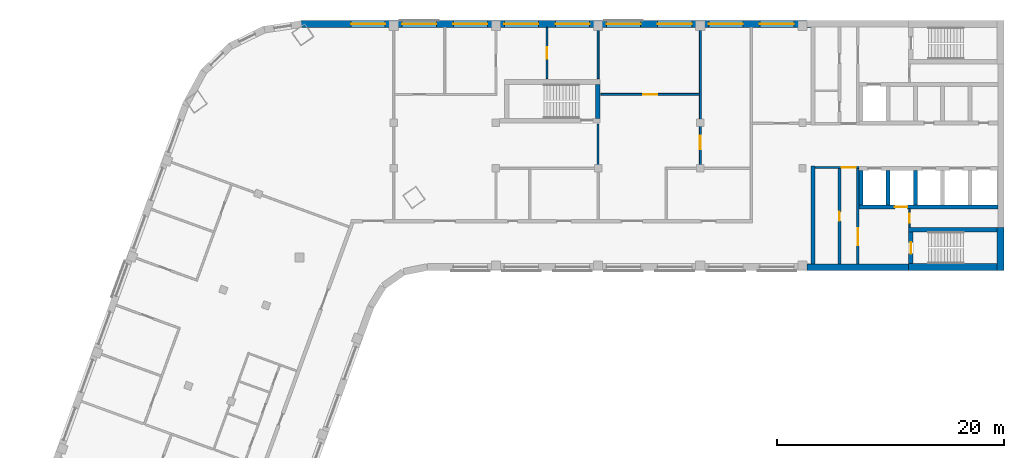
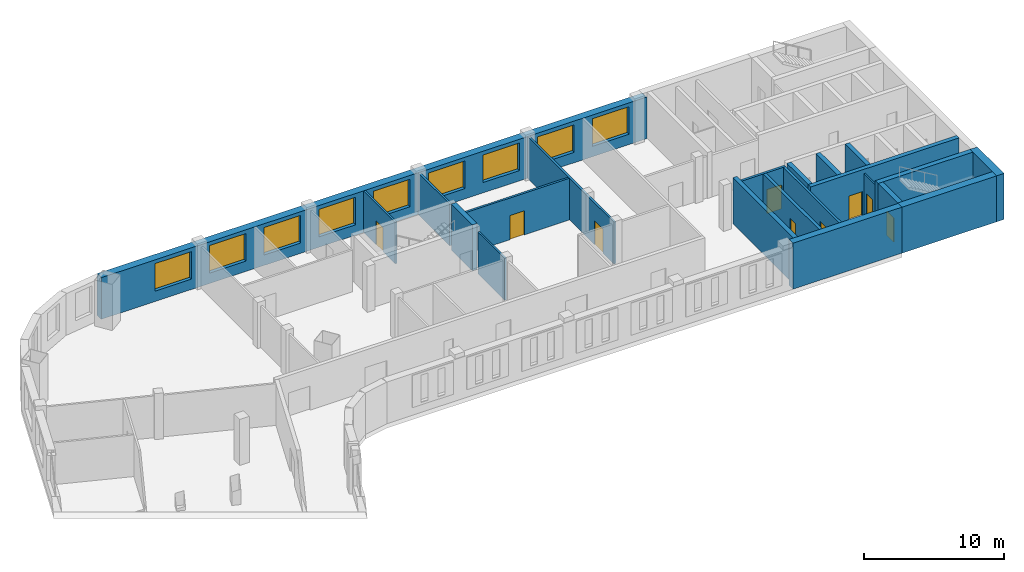
# One storey, part 5 of 8: 21 walls, 9 doors, 9 windows, 18 openings.
"""IFC4 building model written with IfcOpenShell, lengths in metres."""

from ifc_helpers import new_model, si_unit, direction, frame, frame_2d, origin, place, context, subcontext, project, spatial, rectangle, extrude, material, layer, layer_set, type_object, element, fill, save


model = new_model("IFC4")

# Units and contexts
model_context = context("Model", 3, precision=1e-05, world=origin(), true_north=direction((0.0, 1.0)))
body_context = subcontext(model_context, "Body", "Model", "MODEL_VIEW")
ifc_project = project(units=[si_unit("LENGTHUNIT", "METRE"), si_unit("AREAUNIT", "SQUARE_METRE"), si_unit("VOLUMEUNIT", "CUBIC_METRE"), si_unit("PLANEANGLEUNIT", "RADIAN"), si_unit("MASSUNIT", "GRAM", prefix="KILO")], contexts=[model_context])

# Site, building, storey
site_placement = place(None, origin())
site = spatial("IfcSite", under=ifc_project, at=site_placement, CompositionType="ELEMENT")
building_placement = place(site_placement, origin())
building = spatial("IfcBuilding", under=site, at=building_placement, Name="Skarvind Civic Tower", CompositionType="ELEMENT")
storey_placement = place(building_placement, frame((0.0, 0.0, 162.5)))
storey = spatial("IfcBuildingStorey", under=building, at=storey_placement, Name="L38", CompositionType="ELEMENT", Elevation=162.5)

# Wall
ifc_material_1 = material(Name="Acoustic gypsum board on steel studs", Category="steel")
ifc_layer_1 = layer(ifc_material_1, 0.175048828125)
ifc_layer_set_1 = layer_set([ifc_layer_1], Name="ACOUSTIC MEETING-ROOM PARTITION 175")
wall_type_1 = type_object("IfcWallType", Name="ACOUSTIC MEETING-ROOM PARTITION 175", PredefinedType="PARTITIONING", material=ifc_layer_set_1)
wall_1_placement = place(storey_placement, frame((72.25, 133.89990234375, 0.0), z_axis=(0.0, 0.0, 1.0), x_axis=(0.0, 1.0, 0.0)))
element("IfcWall", 1, at=wall_1_placement, inside=storey, type_object=wall_type_1, Name="Partition 38.034", PredefinedType="PARTITIONING", context=body_context, shape_type="SweptSolid", body=[
    extrude(rectangle(XDim=4.5, YDim=0.175048828125, at=frame_2d((2.25, 0.0))), origin(), (0.0, 0.0, 1.0), 3.625),
])

# Wall, opening, door
wall_2_placement = place(storey_placement, frame((81.25, 126.087890625, 0.0), z_axis=(0.0, 0.0, 1.0), x_axis=(0.0, 1.0, 0.0)))
wall_2 = element("IfcWall", 2, at=wall_2_placement, inside=storey, type_object=wall_type_1, Name="Partition 38.037", PredefinedType="PARTITIONING", context=body_context, shape_type="SweptSolid", body=[
    extrude(rectangle(XDim=12.31201171875, YDim=0.175048828125, at=frame_2d((6.156005859375, 0.0))), origin(), (0.0, 0.0, 1.0), 3.625),
])
opening_1_placement = place(wall_2_placement, frame((1.597412109375, 0.0, 0.0)))
opening_1 = element("IfcOpeningElement", 3, at=opening_1_placement, cuts=wall_2, Name="Opening L38-D022", PredefinedType="OPENING", context=body_context, shape_type="SweptSolid", body=[
    extrude(rectangle(XDim=1.199951171875, YDim=2.10009765625, at=frame_2d((0.60009765625, 1.050048828125))), frame((0.0, 0.097412109375, 0.0), z_axis=(0.0, -1.0, 0.0), x_axis=(1.0, 0.0, 0.0)), (0.0, 0.0, 1.0), 0.195068359375),
])
ifc_material_2 = material(Name="Timber door leaf", Category="wood")
door_type_1 = type_object("IfcDoorType", Name="DOOR 1200X2100 DOUBLE TIMBER", OperationType="NOTDEFINED", PredefinedType="DOOR", material=ifc_material_2)
door_1_placement = place(opening_1_placement, origin())
door_1 = element("IfcDoor", 4, at=door_1_placement, inside=storey, type_object=door_type_1, Name="Door L38-D022", OperationType="DOUBLE_DOOR_SINGLE_SWING", OverallHeight=2.10009765625, OverallWidth=1.199951171875, PredefinedType="DOOR", context=body_context, shape_type="SweptSolid", body=[
    extrude(rectangle(XDim=1.199951171875, YDim=2.10009765625, at=frame_2d((0.60009765625, 1.050048828125))), frame((0.0, 0.02490234375, 0.0), z_axis=(0.0, -1.0, 0.0), x_axis=(1.0, 0.0, 0.0)), (0.0, 0.0, 1.0), 0.050048828125),
])
fill(opening_1, door_1)

wall_3_placement = place(storey_placement, frame((81.162109375, 132.5, 0.0), z_axis=(0.0, 0.0, 1.0), x_axis=(-1.0, 0.0, 0.0)))
wall_3 = element("IfcWall", 5, at=wall_3_placement, inside=storey, type_object=wall_type_1, Name="Partition 38.038", PredefinedType="PARTITIONING", context=body_context, shape_type="SweptSolid", body=[
    extrude(rectangle(XDim=8.662109375, YDim=0.175048828125, at=frame_2d((4.3310546875, 0.0))), origin(), (0.0, 0.0, 1.0), 3.625),
])
opening_2_placement = place(wall_3_placement, frame((3.720947265625, 0.0, 0.0)))
opening_2 = element("IfcOpeningElement", 6, at=opening_2_placement, cuts=wall_3, Name="Opening L38-D003", PredefinedType="OPENING", context=body_context, shape_type="SweptSolid", body=[
    extrude(rectangle(XDim=1.199951171875, YDim=2.10009765625, at=frame_2d((0.60009765625, 1.050048828125))), frame((0.0, 0.097412109375, 0.0), z_axis=(0.0, -1.0, 0.0), x_axis=(1.0, 0.0, 0.0)), (0.0, 0.0, 1.0), 0.195068359375),
])
door_2_placement = place(opening_2_placement, origin())
door_2 = element("IfcDoor", 7, at=door_2_placement, inside=storey, type_object=door_type_1, Name="Door L38-D003", OperationType="DOUBLE_DOOR_SINGLE_SWING", OverallHeight=2.10009765625, OverallWidth=1.199951171875, PredefinedType="DOOR", context=body_context, shape_type="SweptSolid", body=[
    extrude(rectangle(XDim=1.199951171875, YDim=2.10009765625, at=frame_2d((0.60009765625, 1.050048828125))), frame((0.0, 0.02490234375, 0.0), z_axis=(0.0, -1.0, 0.0), x_axis=(1.0, 0.0, 0.0)), (0.0, 0.0, 1.0), 0.050048828125),
])
fill(opening_2, door_2)

ifc_material_3 = material(Name="Fire-rated masonry partition", Category="masonry")
ifc_layer_2 = layer(ifc_material_3, 0.199951171875)
ifc_layer_set_2 = layer_set([ifc_layer_2], Name="Core enclosure wall 200")
wall_type_2 = type_object("IfcWallType", Name="Core enclosure wall 200", PredefinedType="PARTITIONING", material=ifc_layer_set_2)
wall_4_placement = place(storey_placement, frame((95.22509765625, 126.074951171875, 0.0), z_axis=(0.0, 0.0, 1.0), x_axis=(-1.0, 0.0, 0.0)))
wall_4 = element("IfcWall", 8, at=wall_4_placement, inside=storey, type_object=wall_type_2, Name="Core wall C1", PredefinedType="PARTITIONING", context=body_context, shape_type="SweptSolid", body=[
    extrude(rectangle(XDim=3.875, YDim=0.199951171875, at=frame_2d((1.9375, 0.0))), origin(), (0.0, 0.0, 1.0), 3.625),
])
opening_3_placement = place(wall_4_placement, frame((0.300048828125, 0.0, 0.0)))
opening_3 = element("IfcOpeningElement", 9, at=opening_3_placement, cuts=wall_4, Name="Opening D-L38-C1-07", PredefinedType="OPENING", context=body_context, shape_type="SweptSolid", body=[
    extrude(rectangle(XDim=1.199951171875, YDim=2.10009765625, at=frame_2d((0.60009765625, 1.050048828125))), frame((0.0, 0.10986328125, 0.0), z_axis=(0.0, -1.0, 0.0), x_axis=(1.0, 0.0, 0.0)), (0.0, 0.0, 1.0), 0.219970703125),
])
ifc_material_4 = material(Name="Fire-rated steel door", Category="steel")
door_type_2 = type_object("IfcDoorType", Name="Core lobby door 1200", OperationType="NOTDEFINED", PredefinedType="DOOR", material=ifc_material_4)
door_3_placement = place(opening_3_placement, origin())
door_3 = element("IfcDoor", 10, at=door_3_placement, inside=storey, type_object=door_type_2, Name="Fire door", OperationType="DOUBLE_DOOR_SINGLE_SWING", OverallHeight=2.10009765625, OverallWidth=1.199951171875, PredefinedType="DOOR", context=body_context, shape_type="SweptSolid", body=[
    extrude(rectangle(XDim=1.199951171875, YDim=2.10009765625, at=frame_2d((0.60009765625, 1.050048828125))), frame((0.0, 0.02490234375, 0.0), z_axis=(0.0, -1.0, 0.0), x_axis=(1.0, 0.0, 0.0)), (0.0, 0.0, 1.0), 0.050048828125),
])
fill(opening_3, door_3)

wall_5_placement = place(storey_placement, frame((95.125, 117.550048828125, 0.0), z_axis=(0.0, 0.0, 1.0), x_axis=(0.0, 1.0, 0.0)))
wall_5 = element("IfcWall", 11, at=wall_5_placement, inside=storey, type_object=wall_type_2, Name="Core wall C1", PredefinedType="PARTITIONING", context=body_context, shape_type="SweptSolid", body=[
    extrude(rectangle(XDim=8.425048828125, YDim=0.199951171875, at=frame_2d((4.21240234375, 0.0))), origin(), (0.0, 0.0, 1.0), 3.625),
])
opening_4_placement = place(wall_5_placement, frame((1.6875, 0.0, 0.0)))
opening_4 = element("IfcOpeningElement", 12, at=opening_4_placement, cuts=wall_5, Name="Opening D-L38-C1-08", PredefinedType="OPENING", context=body_context, shape_type="SweptSolid", body=[
    extrude(rectangle(XDim=1.5, YDim=2.10009765625, at=frame_2d((0.75, 1.050048828125))), frame((0.0, 0.10986328125, 0.0), z_axis=(0.0, -1.0, 0.0), x_axis=(1.0, 0.0, 0.0)), (0.0, 0.0, 1.0), 0.219970703125),
])
door_type_3 = type_object("IfcDoorType", Name="Fire door 1500", OperationType="NOTDEFINED", PredefinedType="DOOR", material=ifc_material_4)
door_4_placement = place(opening_4_placement, origin())
door_4 = element("IfcDoor", 13, at=door_4_placement, inside=storey, type_object=door_type_3, Name="Fire door", OperationType="DOUBLE_DOOR_SINGLE_SWING", OverallHeight=2.10009765625, OverallWidth=1.5, PredefinedType="DOOR", context=body_context, shape_type="SweptSolid", body=[
    extrude(rectangle(XDim=1.5, YDim=2.10009765625, at=frame_2d((0.75, 1.050048828125))), frame((0.0, 0.02490234375, 0.0), z_axis=(0.0, -1.0, 0.0), x_axis=(1.0, 0.0, 0.0)), (0.0, 0.0, 1.0), 0.050048828125),
])
fill(opening_4, door_4)

ifc_material_5 = material(Name="Concrete C60", Category="concrete")
ifc_layer_3 = layer(ifc_material_5, 0.35009765625)
ifc_layer_set_3 = layer_set([ifc_layer_3], Name="Core wall 350 C60")
wall_type_3 = type_object("IfcWallType", Name="Core wall 350 C60", PredefinedType="SHEAR", material=ifc_layer_set_3)
wall_6_placement = place(storey_placement, frame((107.449951171875, 122.60009765625, 0.0), z_axis=(0.0, 0.0, 1.0), x_axis=(-1.0, 0.0, 0.0)))
wall_6 = element("IfcWall", 14, at=wall_6_placement, inside=storey, type_object=wall_type_3, Name="Core wall C1 north lift row back L38", PredefinedType="SHEAR", context=body_context, shape_type="SweptSolid", body=[
    extrude(rectangle(XDim=12.224853515625, YDim=0.35009765625, at=frame_2d((6.1123046875, 0.0))), origin(), (0.0, 0.0, 1.0), 4.0),
])
opening_5_placement = place(wall_6_placement, frame((7.949951171875, 0.0, 0.0)))
opening_5 = element("IfcOpeningElement", 15, at=opening_5_placement, cuts=wall_6, Name="Opening LD40104", PredefinedType="OPENING", context=body_context, shape_type="SweptSolid", body=[
    extrude(rectangle(XDim=1.10009765625, YDim=2.10009765625, at=frame_2d((0.550048828125, 1.050048828125))), frame((0.0, 0.18505859375, 0.0), z_axis=(0.0, -1.0, 0.0), x_axis=(1.0, 0.0, 0.0)), (0.0, 0.0, 1.0), 0.3701171875),
])
ifc_material_6 = material(Name="Stainless steel landing door", Category="steel")
door_type_4 = type_object("IfcDoorType", Name="Lift landing door 1100", OperationType="DOUBLE_DOOR_SLIDING", PredefinedType="DOOR", material=ifc_material_6)
door_5_placement = place(opening_5_placement, origin())
door_5 = element("IfcDoor", 16, at=door_5_placement, inside=storey, type_object=door_type_4, Name="Lift landing door", OperationType="DOUBLE_DOOR_SLIDING", OverallHeight=2.10009765625, OverallWidth=1.10009765625, PredefinedType="DOOR", context=body_context, shape_type="SweptSolid", body=[
    extrude(rectangle(XDim=1.10009765625, YDim=2.10009765625, at=frame_2d((0.550048828125, 1.050048828125))), frame((0.0, 0.02490234375, 0.0), z_axis=(0.0, -1.0, 0.0), x_axis=(1.0, 0.0, 0.0)), (0.0, 0.0, 1.0), 0.050048828125),
])
fill(opening_5, door_5)

# Walls
for number, where, z_axis, x_axis, name in (
    (17, (100.199951171875, 125.824951171875, 0.0), (0.0, 0.0, 1.0), (0.0, -1.0, 0.0), "Core wall C1 north lift row division 3 L38"),
    (18, (97.800048828125, 125.824951171875, 0.0), (0.0, 0.0, 1.0), (0.0, -1.0, 0.0), "Core wall C1 north lift row division 4 L38"),
    (19, (95.39990234375, 125.824951171875, 0.0), (0.0, 0.0, 1.0), (0.0, -1.0, 0.0), "Core wall C1 north lift row division 5 L38"),
):
    element("IfcWall", number, at=place(storey_placement, frame(where, z_axis=z_axis, x_axis=x_axis)), inside=storey, type_object=wall_type_3, Name=name, PredefinedType="SHEAR", context=body_context, shape_type="SweptSolid", body=[
        extrude(rectangle(XDim=3.050048828125, YDim=0.35009765625, at=frame_2d((1.52490234375, 0.0))), origin(), (0.0, 0.0, 1.0), 4.0),
    ])
wall_7_placement = place(storey_placement, frame((91.175048828125, 126.199951171875, 0.0), z_axis=(0.0, 0.0, 1.0), x_axis=(0.0, -1.0, 0.0)))
element("IfcWall", 20, at=wall_7_placement, inside=storey, type_object=wall_type_3, Name="Core wall C1 north inner face L38", PredefinedType="SHEAR", context=body_context, shape_type="SweptSolid", body=[
    extrude(rectangle(XDim=8.64990234375, YDim=0.35009765625, at=frame_2d((4.324951171875, 0.0))), origin(), (0.0, 0.0, 1.0), 4.0),
])
ifc_layer_4 = layer(ifc_material_5, 0.39990234375)
ifc_layer_set_4 = layer_set([ifc_layer_4], Name="Core wall 400 C60")
wall_type_4 = type_object("IfcWallType", Name="Core wall 400 C60", PredefinedType="SHEAR", material=ifc_layer_set_4)
wall_8_placement = place(storey_placement, frame((107.39990234375, 120.60009765625, 0.0), z_axis=(0.0, 0.0, 1.0), x_axis=(-1.0, 0.0, 0.0)))
element("IfcWall", 21, at=wall_8_placement, inside=storey, type_object=wall_type_4, Name="Core wall C1 north stair inner L38", PredefinedType="SHEAR", context=body_context, shape_type="SweptSolid", body=[
    extrude(rectangle(XDim=7.7998046875, YDim=0.39990234375, at=frame_2d((3.89990234375, 0.0))), origin(), (0.0, 0.0, 1.0), 4.0),
])

# Wall, opening, door
wall_9_placement = place(storey_placement, frame((99.800048828125, 120.39990234375, 0.0), z_axis=(0.0, 0.0, 1.0), x_axis=(0.0, -1.0, 0.0)))
wall_9 = element("IfcWall", 22, at=wall_9_placement, inside=storey, type_object=wall_type_4, Name="Core wall C1 north stair end L38", PredefinedType="SHEAR", context=body_context, shape_type="SweptSolid", body=[
    extrude(rectangle(XDim=2.7998046875, YDim=0.39990234375, at=frame_2d((1.39990234375, 0.0))), origin(), (0.0, 0.0, 1.0), 4.0),
])
opening_6_placement = place(wall_9_placement, frame((0.925048828125, 0.0, 0.0)))
opening_6 = element("IfcOpeningElement", 23, at=opening_6_placement, cuts=wall_9, Name="Opening D-L38-C1-09", PredefinedType="OPENING", context=body_context, shape_type="SweptSolid", body=[
    extrude(rectangle(XDim=1.0, YDim=2.10009765625, at=frame_2d((0.5, 1.050048828125))), frame((0.0, 0.2099609375, 0.0), z_axis=(0.0, -1.0, 0.0), x_axis=(1.0, 0.0, 0.0)), (0.0, 0.0, 1.0), 0.419921875),
])
door_type_5 = type_object("IfcDoorType", Name="Fire door 1000", OperationType="NOTDEFINED", PredefinedType="DOOR", material=ifc_material_4)
door_6_placement = place(opening_6_placement, origin())
door_6 = element("IfcDoor", 24, at=door_6_placement, inside=storey, type_object=door_type_5, Name="Fire door", OperationType="SINGLE_SWING_LEFT", OverallHeight=2.10009765625, OverallWidth=1.0, PredefinedType="DOOR", context=body_context, shape_type="SweptSolid", body=[
    extrude(rectangle(XDim=1.0, YDim=2.10009765625, at=frame_2d((0.5, 1.050048828125))), frame((0.0, 0.02490234375, 0.0), z_axis=(0.0, -1.0, 0.0), x_axis=(1.0, 0.0, 0.0)), (0.0, 0.0, 1.0), 0.050048828125),
])
fill(opening_6, door_6)

# Walls
wall_10_placement = place(storey_placement, frame((72.199951171875, 130.39990234375, 0.0), z_axis=(0.0, 0.0, 1.0), x_axis=(0.0, 1.0, 0.0)))
element("IfcWall", 25, at=wall_10_placement, inside=storey, type_object=wall_type_4, Name="Core wall CM end L38", PredefinedType="SHEAR", context=body_context, shape_type="SweptSolid", body=[
    extrude(rectangle(XDim=3.0, YDim=0.39990234375, at=frame_2d((1.5, 0.0))), origin(), (0.0, 0.0, 1.0), 4.0),
])
ifc_layer_5 = layer(ifc_material_5, 0.550048828125)
ifc_layer_set_5 = layer_set([ifc_layer_5], Name="Core wall 550 C60")
wall_type_5 = type_object("IfcWallType", Name="Core wall 550 C60", PredefinedType="SHEAR", material=ifc_layer_set_5)
wall_11_placement = place(storey_placement, frame((99.60009765625, 117.27490234375, 0.0), z_axis=(0.0, 0.0, 1.0), x_axis=(-1.0, 0.0, 0.0)))
element("IfcWall", 26, at=wall_11_placement, inside=storey, type_object=wall_type_5, Name="Core wall C1 north side L38", PredefinedType="SHEAR", context=body_context, shape_type="SweptSolid", body=[
    extrude(rectangle(XDim=8.9501953125, YDim=0.550048828125, at=frame_2d((4.47509765625, 0.0))), origin(), (0.0, 0.0, 1.0), 4.0),
])
ifc_layer_6 = layer(ifc_material_5, 0.60009765625)
ifc_layer_set_6 = layer_set([ifc_layer_6], Name="Core wall 600 C60")
wall_type_6 = type_object("IfcWallType", Name="Core wall 600 C60", PredefinedType="SHEAR", material=ifc_layer_set_6)
wall_12_placement = place(storey_placement, frame((107.699951171875, 120.800048828125, 0.0), z_axis=(0.0, 0.0, 1.0), x_axis=(0.0, -1.0, 0.0)))
element("IfcWall", 27, at=wall_12_placement, inside=storey, type_object=wall_type_6, Name="Core wall C1 tip at the north stair L38", PredefinedType="SHEAR", context=body_context, shape_type="SweptSolid", body=[
    extrude(rectangle(XDim=3.800048828125, YDim=0.60009765625, at=frame_2d((1.89990234375, 0.0))), origin(), (0.0, 0.0, 1.0), 4.0),
])
wall_13_placement = place(storey_placement, frame((107.39990234375, 117.300048828125, 0.0), z_axis=(0.0, 0.0, 1.0), x_axis=(-1.0, 0.0, 0.0)))
element("IfcWall", 28, at=wall_13_placement, inside=storey, type_object=wall_type_6, Name="Core wall C1 north side at the stair L38", PredefinedType="SHEAR", context=body_context, shape_type="SweptSolid", body=[
    extrude(rectangle(XDim=7.7998046875, YDim=0.60009765625, at=frame_2d((3.89990234375, 0.0))), origin(), (0.0, 0.0, 1.0), 4.0),
])

# Wall, opening, door
ifc_material_7 = material(Name="Plasterboard partition on steel studs", Category="steel")
ifc_layer_7 = layer(ifc_material_7, 0.14990234375)
ifc_layer_set_7 = layer_set([ifc_layer_7], Name="PARTITION 150")
wall_type_7 = type_object("IfcWallType", Name="PARTITION 150", PredefinedType="PARTITIONING", material=ifc_layer_set_7)
wall_14_placement = place(storey_placement, frame((67.75, 133.89990234375, 0.0), z_axis=(0.0, 0.0, 1.0), x_axis=(0.0, 1.0, 0.0)))
wall_14 = element("IfcWall", 29, at=wall_14_placement, inside=storey, type_object=wall_type_7, Name="Partition 38.031", PredefinedType="PARTITIONING", context=body_context, shape_type="SweptSolid", body=[
    extrude(rectangle(XDim=4.5, YDim=0.14990234375, at=frame_2d((2.25, 0.0))), origin(), (0.0, 0.0, 1.0), 3.625),
])
opening_7_placement = place(wall_14_placement, frame((1.75, 0.0, 0.0)))
opening_7 = element("IfcOpeningElement", 30, at=opening_7_placement, cuts=wall_14, Name="Opening L38-D007", PredefinedType="OPENING", context=body_context, shape_type="SweptSolid", body=[
    extrude(rectangle(XDim=1.0, YDim=2.10009765625, at=frame_2d((0.5, 1.050048828125))), frame((0.0, 0.0849609375, 0.0), z_axis=(0.0, -1.0, 0.0), x_axis=(1.0, 0.0, 0.0)), (0.0, 0.0, 1.0), 0.169921875),
])
door_type_6 = type_object("IfcDoorType", Name="D1 1000x2100", OperationType="NOTDEFINED", PredefinedType="DOOR", material=ifc_material_2)
door_7_placement = place(opening_7_placement, origin())
door_7 = element("IfcDoor", 31, at=door_7_placement, inside=storey, type_object=door_type_6, Name="Door L38-D007", OperationType="SINGLE_SWING_LEFT", OverallHeight=2.10009765625, OverallWidth=1.0, PredefinedType="DOOR", context=body_context, shape_type="SweptSolid", body=[
    extrude(rectangle(XDim=1.0, YDim=2.10009765625, at=frame_2d((0.5, 1.050048828125))), frame((0.0, 0.02490234375, 0.0), z_axis=(0.0, -1.0, 0.0), x_axis=(1.0, 0.0, 0.0)), (0.0, 0.0, 1.0), 0.050048828125),
])
fill(opening_7, door_7)

# Wall
wall_15_placement = place(storey_placement, frame((72.25, 126.083984375, 0.0), z_axis=(0.0, 0.0, 1.0), x_axis=(0.0, 1.0, 0.0)))
element("IfcWall", 32, at=wall_15_placement, inside=storey, type_object=wall_type_7, Name="Partition 38.033", PredefinedType="PARTITIONING", context=body_context, shape_type="SweptSolid", body=[
    extrude(rectangle(XDim=3.81591796875, YDim=0.14990234375, at=frame_2d((1.907958984375, 0.0))), origin(), (0.0, 0.0, 1.0), 3.625),
])

# Wall, opening, door
ifc_layer_8 = layer(ifc_material_3, 0.125)
ifc_layer_set_8 = layer_set([ifc_layer_8], Name="Riser wall 125")
wall_type_8 = type_object("IfcWallType", Name="Riser wall 125", PredefinedType="PARTITIONING", material=ifc_layer_set_8)
wall_16_placement = place(storey_placement, frame((99.66259765625, 120.800048828125, 0.0), z_axis=(0.0, 0.0, 1.0), x_axis=(0.0, 1.0, 0.0)))
wall_16 = element("IfcWall", 33, at=wall_16_placement, inside=storey, type_object=wall_type_8, Name="Core wall C1", PredefinedType="PARTITIONING", context=body_context, shape_type="SweptSolid", body=[
    extrude(rectangle(XDim=1.625, YDim=0.125, at=frame_2d((0.8125, 0.0))), origin(), (0.0, 0.0, 1.0), 3.625),
])
opening_8_placement = place(wall_16_placement, frame((0.41259765625, 0.0, 0.0)))
opening_8 = element("IfcOpeningElement", 34, at=opening_8_placement, cuts=wall_16, Name="Opening D-L38-C1-10", PredefinedType="OPENING", context=body_context, shape_type="SweptSolid", body=[
    extrude(rectangle(XDim=0.800048828125, YDim=2.10009765625, at=frame_2d((0.39990234375, 1.050048828125))), frame((0.0, 0.072509765625, 0.0), z_axis=(0.0, -1.0, 0.0), x_axis=(1.0, 0.0, 0.0)), (0.0, 0.0, 1.0), 0.14501953125),
])
door_type_7 = type_object("IfcDoorType", Name="Core riser door 800", OperationType="NOTDEFINED", PredefinedType="DOOR", material=ifc_material_4)
door_8_placement = place(opening_8_placement, origin())
door_8 = element("IfcDoor", 35, at=door_8_placement, inside=storey, type_object=door_type_7, Name="Riser door", OperationType="SINGLE_SWING_RIGHT", OverallHeight=2.10009765625, OverallWidth=0.800048828125, PredefinedType="DOOR", context=body_context, shape_type="SweptSolid", body=[
    extrude(rectangle(XDim=0.800048828125, YDim=2.10009765625, at=frame_2d((0.39990234375, 1.050048828125))), frame((0.0, 0.02490234375, 0.0), z_axis=(0.0, -1.0, 0.0), x_axis=(1.0, 0.0, 0.0)), (0.0, 0.0, 1.0), 0.050048828125),
])
fill(opening_8, door_8)

ifc_layer_9 = layer(ifc_material_3, 0.25)
ifc_layer_set_9 = layer_set([ifc_layer_9], Name="Service block wall 250")
wall_type_9 = type_object("IfcWallType", Name="Service block wall 250", PredefinedType="PARTITIONING", material=ifc_layer_set_9)
wall_17_placement = place(storey_placement, frame((93.5, 117.550048828125, 0.0), z_axis=(0.0, 0.0, 1.0), x_axis=(0.0, 1.0, 0.0)))
wall_17 = element("IfcWall", 36, at=wall_17_placement, inside=storey, type_object=wall_type_9, Name="Core wall C1", PredefinedType="PARTITIONING", context=body_context, shape_type="SweptSolid", body=[
    extrude(rectangle(XDim=8.425048828125, YDim=0.25, at=frame_2d((4.21240234375, 0.0))), origin(), (0.0, 0.0, 1.0), 3.625),
])
opening_9_placement = place(wall_17_placement, frame((3.8125, 0.0, 0.0)))
opening_9 = element("IfcOpeningElement", 37, at=opening_9_placement, cuts=wall_17, Name="Opening D-L38-C1-11", PredefinedType="OPENING", context=body_context, shape_type="SweptSolid", body=[
    extrude(rectangle(XDim=0.800048828125, YDim=2.10009765625, at=frame_2d((0.39990234375, 1.050048828125))), frame((0.0, 0.135009765625, 0.0), z_axis=(0.0, -1.0, 0.0), x_axis=(1.0, 0.0, 0.0)), (0.0, 0.0, 1.0), 0.27001953125),
])
door_9_placement = place(opening_9_placement, origin())
door_9 = element("IfcDoor", 38, at=door_9_placement, inside=storey, type_object=door_type_7, Name="Riser door", OperationType="SINGLE_SWING_LEFT", OverallHeight=2.10009765625, OverallWidth=0.800048828125, PredefinedType="DOOR", context=body_context, shape_type="SweptSolid", body=[
    extrude(rectangle(XDim=0.800048828125, YDim=2.10009765625, at=frame_2d((0.39990234375, 1.050048828125))), frame((0.0, 0.02490234375, 0.0), z_axis=(0.0, -1.0, 0.0), x_axis=(1.0, 0.0, 0.0)), (0.0, 0.0, 1.0), 0.050048828125),
])
fill(opening_9, door_9)

# Wall, openings, windows
ifc_material_8 = material(Name="Limestone masonry cladding on insulated backing", Category="masonry")
ifc_layer_10 = layer(ifc_material_8, 0.60009765625)
ifc_layer_set_10 = layer_set([ifc_layer_10], Name="WX1 STONE FACADE WALL 600")
wall_type_10 = type_object("IfcWallType", Name="WX1 STONE FACADE WALL 600", PredefinedType="SOLIDWALL", material=ifc_layer_set_10)
wall_18_placement = place(storey_placement, frame((46.095458984375, 138.699951171875, 0.0), z_axis=(0.0, 0.0, 1.0), x_axis=(1.0, 0.0, 0.0)))
wall_18 = element("IfcWall", 39, at=wall_18_placement, inside=storey, type_object=wall_type_10, Name="STONE FACADE WALL", PredefinedType="SOLIDWALL", context=body_context, shape_type="SweptSolid", body=[
    extrude(rectangle(XDim=44.884521484375, YDim=0.60009765625, at=frame_2d((22.4423828125, 0.0))), origin(), (0.0, 0.0, 1.0), 3.625),
])
opening_10_placement = place(wall_18_placement, frame((4.404541015625, 0.0, 0.89990234375)))
opening_10 = element("IfcOpeningElement", 40, at=opening_10_placement, cuts=wall_18, Name="Opening WN1", PredefinedType="OPENING", context=body_context, shape_type="SweptSolid", body=[
    extrude(rectangle(XDim=3.0, YDim=2.39990234375, at=frame_2d((1.5, 1.199951171875))), frame((0.0, 0.31005859375, 0.0), z_axis=(0.0, -1.0, 0.0), x_axis=(1.0, 0.0, 0.0)), (0.0, 0.0, 1.0), 0.6201171875),
])
opening_11_placement = place(wall_18_placement, frame((8.904541015625, 0.0, 0.89990234375)))
opening_11 = element("IfcOpeningElement", 41, at=opening_11_placement, cuts=wall_18, Name="Opening WN1", PredefinedType="OPENING", context=body_context, shape_type="SweptSolid", body=[
    extrude(rectangle(XDim=3.0, YDim=2.39990234375, at=frame_2d((1.5, 1.199951171875))), frame((0.0, 0.31005859375, 0.0), z_axis=(0.0, -1.0, 0.0), x_axis=(1.0, 0.0, 0.0)), (0.0, 0.0, 1.0), 0.6201171875),
])
opening_12_placement = place(wall_18_placement, frame((13.404541015625, 0.0, 0.89990234375)))
opening_12 = element("IfcOpeningElement", 42, at=opening_12_placement, cuts=wall_18, Name="Opening WN1", PredefinedType="OPENING", context=body_context, shape_type="SweptSolid", body=[
    extrude(rectangle(XDim=3.0, YDim=2.39990234375, at=frame_2d((1.5, 1.199951171875))), frame((0.0, 0.31005859375, 0.0), z_axis=(0.0, -1.0, 0.0), x_axis=(1.0, 0.0, 0.0)), (0.0, 0.0, 1.0), 0.6201171875),
])
opening_13_placement = place(wall_18_placement, frame((17.904541015625, 0.0, 0.89990234375)))
opening_13 = element("IfcOpeningElement", 43, at=opening_13_placement, cuts=wall_18, Name="Opening WN1", PredefinedType="OPENING", context=body_context, shape_type="SweptSolid", body=[
    extrude(rectangle(XDim=3.0, YDim=2.39990234375, at=frame_2d((1.5, 1.199951171875))), frame((0.0, 0.31005859375, 0.0), z_axis=(0.0, -1.0, 0.0), x_axis=(1.0, 0.0, 0.0)), (0.0, 0.0, 1.0), 0.6201171875),
])
opening_14_placement = place(wall_18_placement, frame((22.404541015625, 0.0, 0.89990234375)))
opening_14 = element("IfcOpeningElement", 44, at=opening_14_placement, cuts=wall_18, Name="Opening WN1", PredefinedType="OPENING", context=body_context, shape_type="SweptSolid", body=[
    extrude(rectangle(XDim=3.0, YDim=2.39990234375, at=frame_2d((1.5, 1.199951171875))), frame((0.0, 0.31005859375, 0.0), z_axis=(0.0, -1.0, 0.0), x_axis=(1.0, 0.0, 0.0)), (0.0, 0.0, 1.0), 0.6201171875),
])
opening_15_placement = place(wall_18_placement, frame((26.904541015625, 0.0, 0.89990234375)))
opening_15 = element("IfcOpeningElement", 45, at=opening_15_placement, cuts=wall_18, Name="Opening WN1", PredefinedType="OPENING", context=body_context, shape_type="SweptSolid", body=[
    extrude(rectangle(XDim=3.0, YDim=2.39990234375, at=frame_2d((1.5, 1.199951171875))), frame((0.0, 0.31005859375, 0.0), z_axis=(0.0, -1.0, 0.0), x_axis=(1.0, 0.0, 0.0)), (0.0, 0.0, 1.0), 0.6201171875),
])
opening_16_placement = place(wall_18_placement, frame((31.404541015625, 0.0, 0.89990234375)))
opening_16 = element("IfcOpeningElement", 46, at=opening_16_placement, cuts=wall_18, Name="Opening WN1", PredefinedType="OPENING", context=body_context, shape_type="SweptSolid", body=[
    extrude(rectangle(XDim=3.0, YDim=2.39990234375, at=frame_2d((1.5, 1.199951171875))), frame((0.0, 0.31005859375, 0.0), z_axis=(0.0, -1.0, 0.0), x_axis=(1.0, 0.0, 0.0)), (0.0, 0.0, 1.0), 0.6201171875),
])
opening_17_placement = place(wall_18_placement, frame((35.904541015625, 0.0, 0.89990234375)))
opening_17 = element("IfcOpeningElement", 47, at=opening_17_placement, cuts=wall_18, Name="Opening WN1", PredefinedType="OPENING", context=body_context, shape_type="SweptSolid", body=[
    extrude(rectangle(XDim=3.0, YDim=2.39990234375, at=frame_2d((1.5, 1.199951171875))), frame((0.0, 0.31005859375, 0.0), z_axis=(0.0, -1.0, 0.0), x_axis=(1.0, 0.0, 0.0)), (0.0, 0.0, 1.0), 0.6201171875),
])
opening_18_placement = place(wall_18_placement, frame((40.404541015625, 0.0, 0.89990234375)))
opening_18 = element("IfcOpeningElement", 48, at=opening_18_placement, cuts=wall_18, Name="Opening WN1", PredefinedType="OPENING", context=body_context, shape_type="SweptSolid", body=[
    extrude(rectangle(XDim=3.0, YDim=2.39990234375, at=frame_2d((1.5, 1.199951171875))), frame((0.0, 0.31005859375, 0.0), z_axis=(0.0, -1.0, 0.0), x_axis=(1.0, 0.0, 0.0)), (0.0, 0.0, 1.0), 0.6201171875),
])
ifc_material_9 = material(Name="Timber frame, double glazing, timber-lined reveal", Category="wood")
window_type = type_object("IfcWindowType", Name="WN1 PUNCHED STONE WINDOW 3000 x 2400", PartitioningType="SINGLE_PANEL", PredefinedType="WINDOW", material=ifc_material_9)
window_1_placement = place(opening_10_placement, origin())
window_1 = element("IfcWindow", 49, at=window_1_placement, inside=storey, type_object=window_type, Name="WN1 WINDOW", OverallHeight=2.39990234375, OverallWidth=3.0, PartitioningType="SINGLE_PANEL", PredefinedType="WINDOW", context=body_context, shape_type="SweptSolid", body=[
    extrude(rectangle(XDim=3.0, YDim=2.39990234375, at=frame_2d((1.5, 1.199951171875))), frame((0.0, 0.030029296875, 0.0), z_axis=(0.0, -1.0, 0.0), x_axis=(1.0, 0.0, 0.0)), (0.0, 0.0, 1.0), 0.06005859375),
])
fill(opening_10, window_1)
window_2_placement = place(opening_11_placement, origin())
window_2 = element("IfcWindow", 50, at=window_2_placement, inside=storey, type_object=window_type, Name="WN1 WINDOW", OverallHeight=2.39990234375, OverallWidth=3.0, PartitioningType="SINGLE_PANEL", PredefinedType="WINDOW", context=body_context, shape_type="SweptSolid", body=[
    extrude(rectangle(XDim=3.0, YDim=2.39990234375, at=frame_2d((1.5, 1.199951171875))), frame((0.0, 0.030029296875, 0.0), z_axis=(0.0, -1.0, 0.0), x_axis=(1.0, 0.0, 0.0)), (0.0, 0.0, 1.0), 0.06005859375),
])
fill(opening_11, window_2)
window_3_placement = place(opening_12_placement, origin())
window_3 = element("IfcWindow", 51, at=window_3_placement, inside=storey, type_object=window_type, Name="WN1 WINDOW", OverallHeight=2.39990234375, OverallWidth=3.0, PartitioningType="SINGLE_PANEL", PredefinedType="WINDOW", context=body_context, shape_type="SweptSolid", body=[
    extrude(rectangle(XDim=3.0, YDim=2.39990234375, at=frame_2d((1.5, 1.199951171875))), frame((0.0, 0.030029296875, 0.0), z_axis=(0.0, -1.0, 0.0), x_axis=(1.0, 0.0, 0.0)), (0.0, 0.0, 1.0), 0.06005859375),
])
fill(opening_12, window_3)
window_4_placement = place(opening_13_placement, origin())
window_4 = element("IfcWindow", 52, at=window_4_placement, inside=storey, type_object=window_type, Name="WN1 WINDOW", OverallHeight=2.39990234375, OverallWidth=3.0, PartitioningType="SINGLE_PANEL", PredefinedType="WINDOW", context=body_context, shape_type="SweptSolid", body=[
    extrude(rectangle(XDim=3.0, YDim=2.39990234375, at=frame_2d((1.5, 1.199951171875))), frame((0.0, 0.030029296875, 0.0), z_axis=(0.0, -1.0, 0.0), x_axis=(1.0, 0.0, 0.0)), (0.0, 0.0, 1.0), 0.06005859375),
])
fill(opening_13, window_4)
window_5_placement = place(opening_14_placement, origin())
window_5 = element("IfcWindow", 53, at=window_5_placement, inside=storey, type_object=window_type, Name="WN1 WINDOW", OverallHeight=2.39990234375, OverallWidth=3.0, PartitioningType="SINGLE_PANEL", PredefinedType="WINDOW", context=body_context, shape_type="SweptSolid", body=[
    extrude(rectangle(XDim=3.0, YDim=2.39990234375, at=frame_2d((1.5, 1.199951171875))), frame((0.0, 0.030029296875, 0.0), z_axis=(0.0, -1.0, 0.0), x_axis=(1.0, 0.0, 0.0)), (0.0, 0.0, 1.0), 0.06005859375),
])
fill(opening_14, window_5)
window_6_placement = place(opening_15_placement, origin())
window_6 = element("IfcWindow", 54, at=window_6_placement, inside=storey, type_object=window_type, Name="WN1 WINDOW", OverallHeight=2.39990234375, OverallWidth=3.0, PartitioningType="SINGLE_PANEL", PredefinedType="WINDOW", context=body_context, shape_type="SweptSolid", body=[
    extrude(rectangle(XDim=3.0, YDim=2.39990234375, at=frame_2d((1.5, 1.199951171875))), frame((0.0, 0.030029296875, 0.0), z_axis=(0.0, -1.0, 0.0), x_axis=(1.0, 0.0, 0.0)), (0.0, 0.0, 1.0), 0.06005859375),
])
fill(opening_15, window_6)
window_7_placement = place(opening_16_placement, origin())
window_7 = element("IfcWindow", 55, at=window_7_placement, inside=storey, type_object=window_type, Name="WN1 WINDOW", OverallHeight=2.39990234375, OverallWidth=3.0, PartitioningType="SINGLE_PANEL", PredefinedType="WINDOW", context=body_context, shape_type="SweptSolid", body=[
    extrude(rectangle(XDim=3.0, YDim=2.39990234375, at=frame_2d((1.5, 1.199951171875))), frame((0.0, 0.030029296875, 0.0), z_axis=(0.0, -1.0, 0.0), x_axis=(1.0, 0.0, 0.0)), (0.0, 0.0, 1.0), 0.06005859375),
])
fill(opening_16, window_7)
window_8_placement = place(opening_17_placement, origin())
window_8 = element("IfcWindow", 56, at=window_8_placement, inside=storey, type_object=window_type, Name="WN1 WINDOW", OverallHeight=2.39990234375, OverallWidth=3.0, PartitioningType="SINGLE_PANEL", PredefinedType="WINDOW", context=body_context, shape_type="SweptSolid", body=[
    extrude(rectangle(XDim=3.0, YDim=2.39990234375, at=frame_2d((1.5, 1.199951171875))), frame((0.0, 0.030029296875, 0.0), z_axis=(0.0, -1.0, 0.0), x_axis=(1.0, 0.0, 0.0)), (0.0, 0.0, 1.0), 0.06005859375),
])
fill(opening_17, window_8)
window_9_placement = place(opening_18_placement, origin())
window_9 = element("IfcWindow", 57, at=window_9_placement, inside=storey, type_object=window_type, Name="WN1 WINDOW", OverallHeight=2.39990234375, OverallWidth=3.0, PartitioningType="SINGLE_PANEL", PredefinedType="WINDOW", context=body_context, shape_type="SweptSolid", body=[
    extrude(rectangle(XDim=3.0, YDim=2.39990234375, at=frame_2d((1.5, 1.199951171875))), frame((0.0, 0.030029296875, 0.0), z_axis=(0.0, -1.0, 0.0), x_axis=(1.0, 0.0, 0.0)), (0.0, 0.0, 1.0), 0.06005859375),
])
fill(opening_18, window_9)

save(model, "model.ifc")
